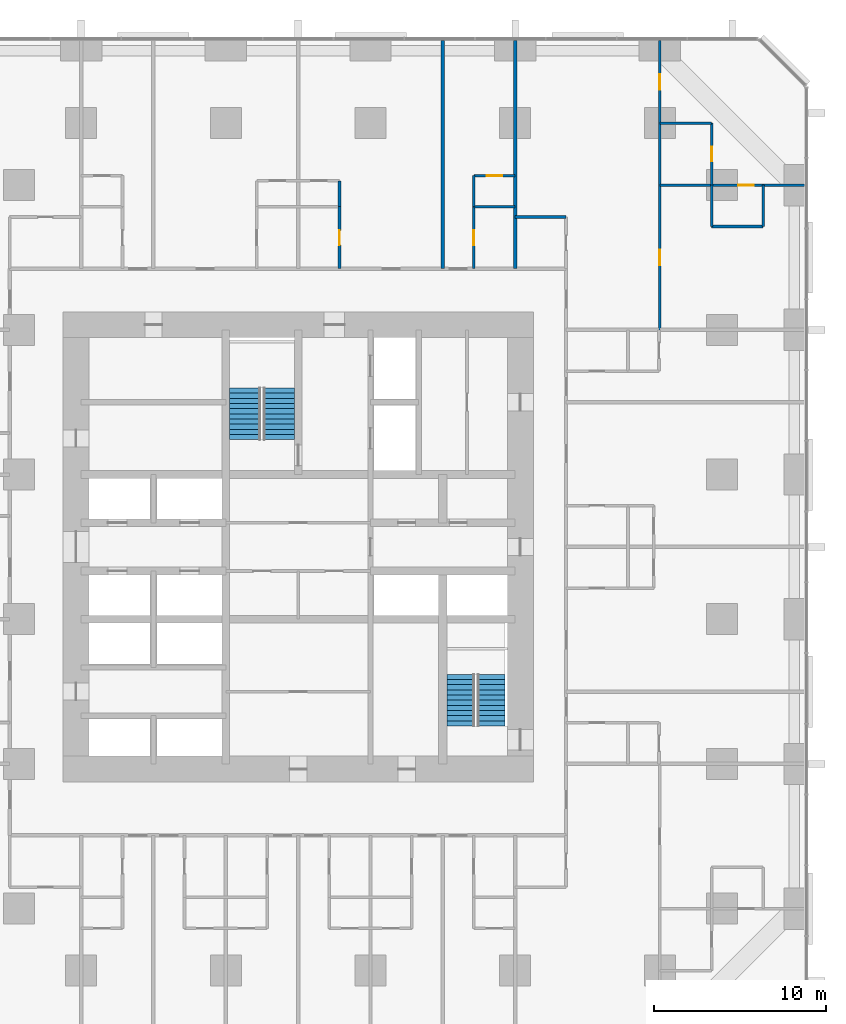
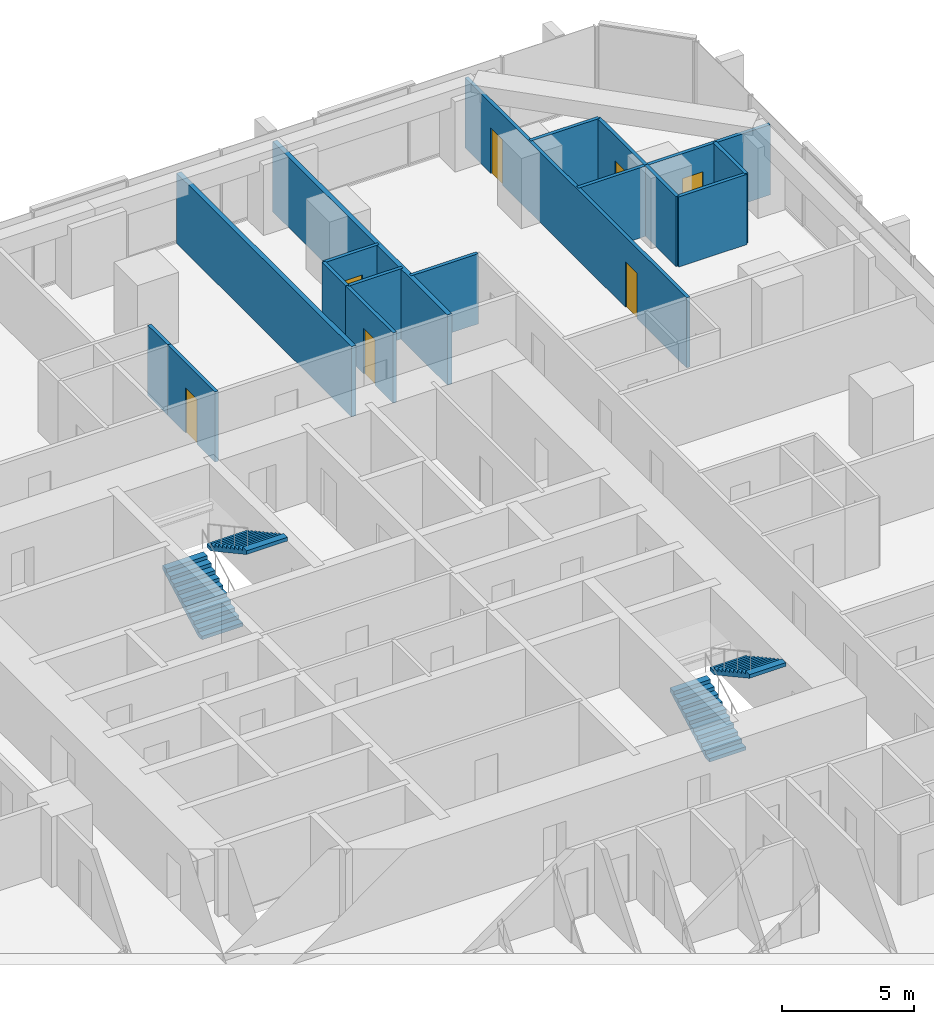
# One storey, part 16 of 17: 16 walls, 7 doors, 4 stair flights, 7 openings, 2 elements without a shape of their own.
"""IFC4 building model written with IfcOpenShell, lengths in metres."""

from ifc_helpers import new_model, si_unit, direction, frame, frame_2d, origin, place, context, subcontext, project, spatial, polyline, rectangle, outline, extrude, material, layer, layer_set, type_object, element, fill, aggregate, save


model = new_model("IFC4")

# Units and contexts
model_context = context("Model", 3, precision=1e-05, world=origin(), true_north=direction((0.0, 1.0)))
body_context = subcontext(model_context, "Body", "Model", "MODEL_VIEW")
ifc_project = project(units=[si_unit("LENGTHUNIT", "METRE"), si_unit("AREAUNIT", "SQUARE_METRE"), si_unit("VOLUMEUNIT", "CUBIC_METRE"), si_unit("PLANEANGLEUNIT", "RADIAN"), si_unit("MASSUNIT", "GRAM", prefix="KILO")], contexts=[model_context])

# Site, building, storey
site_placement = place(None, origin())
site = spatial("IfcSite", under=ifc_project, at=site_placement, CompositionType="ELEMENT")
building_placement = place(site_placement, origin())
building = spatial("IfcBuilding", under=site, at=building_placement, Name="Dunama Terrace Hotel", CompositionType="ELEMENT")
storey_placement = place(building_placement, frame((0.0, 0.0, 70.199951171875)))
storey = spatial("IfcBuildingStorey", under=building, at=storey_placement, Name="L17", CompositionType="ELEMENT", Elevation=70.199951171875)

# Wall, opening, door
ifc_material_1 = material(Name="Gypsum board partition", Category="masonry")
ifc_layer_1 = layer(ifc_material_1, 0.14990234375)
ifc_layer_set_1 = layer_set([ifc_layer_1], Name="Bathroom partition 150")
wall_type_1 = type_object("IfcWallType", Name="Bathroom partition 150", PredefinedType="PARTITIONING", material=ifc_layer_set_1)
wall_1_placement = place(storey_placement, frame((31.800048828125, 45.550048828125, 0.0), z_axis=(0.0, 0.0, 1.0), x_axis=(0.0, 1.0, 0.0)))
wall_1 = element("IfcWall", 1, at=wall_1_placement, inside=storey, type_object=wall_type_1, Name="Bathroom partition 150 L17", PredefinedType="PARTITIONING", context=body_context, shape_type="SweptSolid", body=[
    extrude(rectangle(XDim=3.599853515625, YDim=0.14990234375, at=frame_2d((1.7998046875, 0.0))), origin(), (0.0, 0.0, 1.0), 3.25),
])
opening_1_placement = place(wall_1_placement, frame((1.375, 0.0, 0.0)))
opening_1 = element("IfcOpeningElement", 2, at=opening_1_placement, cuts=wall_1, Name="Opening L17-19-046", PredefinedType="OPENING", context=body_context, shape_type="SweptSolid", body=[
    extrude(rectangle(XDim=0.85009765625, YDim=2.10009765625, at=frame_2d((0.425048828125, 1.050048828125))), frame((0.0, 0.0849609375, 0.0), z_axis=(0.0, -1.0, 0.0), x_axis=(1.0, 0.0, 0.0)), (0.0, 0.0, 1.0), 0.169921875),
])
ifc_material_2 = material(Name="Timber door with steel frame", Category="steel")
door_type_1 = type_object("IfcDoorType", Name="Bathroom door 850", OperationType="SINGLE_SWING_LEFT", PredefinedType="DOOR", material=ifc_material_2)
door_1_placement = place(opening_1_placement, origin())
door_1 = element("IfcDoor", 3, at=door_1_placement, inside=storey, type_object=door_type_1, Name="Door to en-suite bathroom L17-19-046, type D2", OperationType="SINGLE_SWING_LEFT", OverallHeight=2.10009765625, OverallWidth=0.85009765625, PredefinedType="DOOR", context=body_context, shape_type="SweptSolid", body=[
    extrude(rectangle(XDim=0.85009765625, YDim=2.10009765625, at=frame_2d((0.425048828125, 1.050048828125))), frame((0.0, 0.02490234375, 0.0), z_axis=(0.0, -1.0, 0.0), x_axis=(1.0, 0.0, 0.0)), (0.0, 0.0, 1.0), 0.050048828125),
])
fill(opening_1, door_1)

wall_2_placement = place(storey_placement, frame((39.60009765625, 45.550048828125, 0.0), z_axis=(0.0, 0.0, 1.0), x_axis=(0.0, 1.0, 0.0)))
wall_2 = element("IfcWall", 4, at=wall_2_placement, inside=storey, type_object=wall_type_1, Name="Bathroom partition 150 L17", PredefinedType="PARTITIONING", context=body_context, shape_type="SweptSolid", body=[
    extrude(rectangle(XDim=3.599853515625, YDim=0.14990234375, at=frame_2d((1.7998046875, 0.0))), origin(), (0.0, 0.0, 1.0), 3.25),
])
opening_2_placement = place(wall_2_placement, frame((1.375, 0.0, 0.0)))
opening_2 = element("IfcOpeningElement", 5, at=opening_2_placement, cuts=wall_2, Name="Opening L17-19-049", PredefinedType="OPENING", context=body_context, shape_type="SweptSolid", body=[
    extrude(rectangle(XDim=0.85009765625, YDim=2.10009765625, at=frame_2d((0.425048828125, 1.050048828125))), frame((0.0, 0.0849609375, 0.0), z_axis=(0.0, -1.0, 0.0), x_axis=(1.0, 0.0, 0.0)), (0.0, 0.0, 1.0), 0.169921875),
])
door_2_placement = place(opening_2_placement, frame((0.85009765625, 0.0, 0.0), z_axis=(0.0, 0.0, 1.0), x_axis=(-1.0, 0.0, 0.0)))
door_2 = element("IfcDoor", 6, at=door_2_placement, inside=storey, type_object=door_type_1, Name="Door to en-suite bathroom L17-19-049, type D2", OperationType="SINGLE_SWING_RIGHT", OverallHeight=2.10009765625, OverallWidth=0.85009765625, PredefinedType="DOOR", context=body_context, shape_type="SweptSolid", body=[
    extrude(rectangle(XDim=0.85009765625, YDim=2.10009765625, at=frame_2d((0.425048828125, 1.050048828125))), frame((0.0, 0.025146484375, 0.0), z_axis=(0.0, -1.0, 0.0), x_axis=(1.0, 0.0, 0.0)), (0.0, 0.0, 1.0), 0.050048828125),
])
fill(opening_2, door_2)

wall_3_placement = place(storey_placement, frame((53.39990234375, 50.39990234375, 0.0), z_axis=(0.0, 0.0, 1.0), x_axis=(0.0, 1.0, 0.0)))
wall_3 = element("IfcWall", 7, at=wall_3_placement, inside=storey, type_object=wall_type_1, Name="Bathroom partition 150 L17", PredefinedType="PARTITIONING", context=body_context, shape_type="SweptSolid", body=[
    extrude(rectangle(XDim=3.60009765625, YDim=0.14990234375, at=frame_2d((1.800048828125, 0.0))), origin(), (0.0, 0.0, 1.0), 3.25),
])
opening_3_placement = place(wall_3_placement, frame((1.375, 0.0, 0.0)))
opening_3 = element("IfcOpeningElement", 8, at=opening_3_placement, cuts=wall_3, Name="Opening L17-19-075", PredefinedType="OPENING", context=body_context, shape_type="SweptSolid", body=[
    extrude(rectangle(XDim=0.85009765625, YDim=2.10009765625, at=frame_2d((0.425048828125, 1.050048828125))), frame((0.0, 0.0849609375, 0.0), z_axis=(0.0, -1.0, 0.0), x_axis=(1.0, 0.0, 0.0)), (0.0, 0.0, 1.0), 0.169921875),
])
door_3_placement = place(opening_3_placement, origin())
door_3 = element("IfcDoor", 9, at=door_3_placement, inside=storey, type_object=door_type_1, Name="Door to en-suite bathroom L17-19-075, type D2", OperationType="SINGLE_SWING_LEFT", OverallHeight=2.10009765625, OverallWidth=0.85009765625, PredefinedType="DOOR", context=body_context, shape_type="SweptSolid", body=[
    extrude(rectangle(XDim=0.85009765625, YDim=2.10009765625, at=frame_2d((0.425048828125, 1.050048828125))), frame((0.0, 0.02490234375, 0.0), z_axis=(0.0, -1.0, 0.0), x_axis=(1.0, 0.0, 0.0)), (0.0, 0.0, 1.0), 0.050048828125),
])
fill(opening_3, door_3)

# Walls
wall_4_placement = place(storey_placement, frame((42.0, 48.550048828125, 0.0), z_axis=(0.0, 0.0, 1.0), x_axis=(1.0, 0.0, 0.0)))
element("IfcWall", 10, at=wall_4_placement, inside=storey, type_object=wall_type_1, Name="Bathroom partition 150 L17", PredefinedType="PARTITIONING", context=body_context, shape_type="SweptSolid", body=[
    extrude(rectangle(XDim=2.949951171875, YDim=0.14990234375, at=frame_2d((1.47509765625, 0.0))), origin(), (0.0, 0.0, 1.0), 3.25),
])
wall_5_placement = place(storey_placement, frame((50.39990234375, 54.0, 0.0), z_axis=(0.0, 0.0, 1.0), x_axis=(1.0, 0.0, 0.0)))
element("IfcWall", 11, at=wall_5_placement, inside=storey, type_object=wall_type_1, Name="Bathroom partition 150 L17", PredefinedType="PARTITIONING", context=body_context, shape_type="SweptSolid", body=[
    extrude(rectangle(XDim=3.0, YDim=0.14990234375, at=frame_2d((1.5, 0.0))), origin(), (0.0, 0.0, 1.0), 3.25),
])
ifc_material_3 = material(Name="Concrete blockwork", Category="masonry")
ifc_layer_2 = layer(ifc_material_3, 0.199951171875)
ifc_layer_set_2 = layer_set([ifc_layer_2], Name="Party wall 200")
wall_type_2 = type_object("IfcWallType", Name="Party wall 200", PredefinedType="PARTITIONING", material=ifc_layer_set_2)
for number, where, z_axis, x_axis, name in (
    (12, (37.800048828125, 45.550048828125, 0.0), (0.0, 0.0, 1.0), (0.0, 1.0, 0.0), "Party wall 200 L17"),
    (13, (42.0, 45.550048828125, 0.0), (0.0, 0.0, 1.0), (0.0, 1.0, 0.0), "Party wall 200 L17"),
):
    element("IfcWall", number, at=place(storey_placement, frame(where, z_axis=z_axis, x_axis=x_axis)), inside=storey, type_object=wall_type_2, Name=name, PredefinedType="PARTITIONING", context=body_context, shape_type="SweptSolid", body=[
        extrude(rectangle(XDim=13.258056640625, YDim=0.199951171875, at=frame_2d((6.62890625, 0.0))), origin(), (0.0, 0.0, 1.0), 3.25),
    ])
ifc_material_4 = material(Name="Gypsum board partition", Category="masonry")
ifc_layer_3 = layer(ifc_material_4, 0.14990234375)
ifc_layer_set_3 = layer_set([ifc_layer_3], Name="Room partition 150")
wall_type_3 = type_object("IfcWallType", Name="Room partition 150", PredefinedType="PARTITIONING", material=ifc_layer_set_3)
wall_6_placement = place(storey_placement, frame((31.800048828125, 49.14990234375, 0.0), z_axis=(0.0, 0.0, 1.0), x_axis=(0.0, 1.0, 0.0)))
element("IfcWall", 14, at=wall_6_placement, inside=storey, type_object=wall_type_3, Name="Room partition 150 L17", PredefinedType="PARTITIONING", context=body_context, shape_type="SweptSolid", body=[
    extrude(rectangle(XDim=1.5, YDim=0.14990234375, at=frame_2d((0.75, 0.0))), origin(), (0.0, 0.0, 1.0), 3.25),
])
wall_7_placement = place(storey_placement, frame((39.60009765625, 49.14990234375, 0.0), z_axis=(0.0, 0.0, 1.0), x_axis=(0.0, 1.0, 0.0)))
element("IfcWall", 15, at=wall_7_placement, inside=storey, type_object=wall_type_3, Name="Room partition 150 L17", PredefinedType="PARTITIONING", context=body_context, shape_type="SweptSolid", body=[
    extrude(rectangle(XDim=1.800048828125, YDim=0.14990234375, at=frame_2d((0.89990234375, 0.0))), origin(), (0.0, 0.0, 1.0), 3.25),
])

# Wall, openings, doors
wall_8_placement = place(storey_placement, frame((50.39990234375, 42.0, 0.0), z_axis=(0.0, 0.0, 1.0), x_axis=(0.0, 1.0, 0.0)))
wall_8 = element("IfcWall", 16, at=wall_8_placement, inside=storey, type_object=wall_type_3, Name="Room partition 150 L17", PredefinedType="PARTITIONING", context=body_context, shape_type="SweptSolid", body=[
    extrude(rectangle(XDim=16.80810546875, YDim=0.14990234375, at=frame_2d((8.404052734375, 0.0))), origin(), (0.0, 0.0, 1.0), 3.25),
])
opening_4_placement = place(wall_8_placement, frame((13.949951171875, 0.0, 0.0)))
opening_4 = element("IfcOpeningElement", 17, at=opening_4_placement, cuts=wall_8, Name="Opening L17-19-074", PredefinedType="OPENING", context=body_context, shape_type="SweptSolid", body=[
    extrude(rectangle(XDim=0.89990234375, YDim=2.10009765625, at=frame_2d((0.449951171875, 1.050048828125))), frame((0.0, 0.0849609375, 0.0), z_axis=(0.0, -1.0, 0.0), x_axis=(1.0, 0.0, 0.0)), (0.0, 0.0, 1.0), 0.169921875),
])
opening_5_placement = place(wall_8_placement, frame((3.75, 0.0, 0.0)))
opening_5 = element("IfcOpeningElement", 18, at=opening_5_placement, cuts=wall_8, Name="Opening L17-19-077", PredefinedType="OPENING", context=body_context, shape_type="SweptSolid", body=[
    extrude(rectangle(XDim=0.89990234375, YDim=2.10009765625, at=frame_2d((0.449951171875, 1.050048828125))), frame((0.0, 0.0849609375, 0.0), z_axis=(0.0, -1.0, 0.0), x_axis=(1.0, 0.0, 0.0)), (0.0, 0.0, 1.0), 0.169921875),
])
ifc_material_5 = material(Name="Timber door with steel frame", Category="steel")
door_type_2 = type_object("IfcDoorType", Name="Suite internal door 900", OperationType="SINGLE_SWING_LEFT", PredefinedType="DOOR", material=ifc_material_5)
door_4_placement = place(opening_4_placement, frame((0.89990234375, 0.0, 0.0), z_axis=(0.0, 0.0, 1.0), x_axis=(-1.0, 0.0, 0.0)))
door_4 = element("IfcDoor", 19, at=door_4_placement, inside=storey, type_object=door_type_2, Name="Door to corner suite bedroom L17-19-074, type D16", OperationType="SINGLE_SWING_LEFT", OverallHeight=2.10009765625, OverallWidth=0.89990234375, PredefinedType="DOOR", context=body_context, shape_type="SweptSolid", body=[
    extrude(rectangle(XDim=0.89990234375, YDim=2.10009765625, at=frame_2d((0.449951171875, 1.050048828125))), frame((0.0, 0.025146484375, 0.0), z_axis=(0.0, -1.0, 0.0), x_axis=(1.0, 0.0, 0.0)), (0.0, 0.0, 1.0), 0.050048828125),
])
fill(opening_4, door_4)
door_5_placement = place(opening_5_placement, frame((0.89990234375, 0.0, 0.0), z_axis=(0.0, 0.0, 1.0), x_axis=(-1.0, 0.0, 0.0)))
door_5 = element("IfcDoor", 20, at=door_5_placement, inside=storey, type_object=door_type_2, Name="Door to corner suite study L17-19-077, type D16", OperationType="SINGLE_SWING_LEFT", OverallHeight=2.10009765625, OverallWidth=0.89990234375, PredefinedType="DOOR", context=body_context, shape_type="SweptSolid", body=[
    extrude(rectangle(XDim=0.89990234375, YDim=2.10009765625, at=frame_2d((0.449951171875, 1.050048828125))), frame((0.0, 0.025146484375, 0.0), z_axis=(0.0, -1.0, 0.0), x_axis=(1.0, 0.0, 0.0)), (0.0, 0.0, 1.0), 0.050048828125),
])
fill(opening_5, door_5)

# Walls
for number, where, z_axis, x_axis, name in (
    (21, (53.39990234375, 48.0, 0.0), (0.0, 0.0, 1.0), (0.0, 1.0, 0.0), "Room partition 150 L17"),
    (22, (56.39990234375, 48.0, 0.0), (0.0, 0.0, 1.0), (0.0, 1.0, 0.0), "Room partition 150 L17"),
):
    element("IfcWall", number, at=place(storey_placement, frame(where, z_axis=z_axis, x_axis=x_axis)), inside=storey, type_object=wall_type_3, Name=name, PredefinedType="PARTITIONING", context=body_context, shape_type="SweptSolid", body=[
        extrude(rectangle(XDim=2.39990234375, YDim=0.14990234375, at=frame_2d((1.199951171875, 0.0))), origin(), (0.0, 0.0, 1.0), 3.25),
    ])
wall_9_placement = place(storey_placement, frame((53.39990234375, 48.0, 0.0), z_axis=(0.0, 0.0, 1.0), x_axis=(1.0, 0.0, 0.0)))
element("IfcWall", 23, at=wall_9_placement, inside=storey, type_object=wall_type_3, Name="Room partition 150 L17", PredefinedType="PARTITIONING", context=body_context, shape_type="SweptSolid", body=[
    extrude(rectangle(XDim=3.0, YDim=0.14990234375, at=frame_2d((1.5, 0.0))), origin(), (0.0, 0.0, 1.0), 3.25),
])
wall_10_placement = place(storey_placement, frame((39.60009765625, 49.14990234375, 0.0), z_axis=(0.0, 0.0, 1.0), x_axis=(1.0, 0.0, 0.0)))
element("IfcWall", 24, at=wall_10_placement, inside=storey, type_object=wall_type_3, Name="Room partition 150 L17", PredefinedType="PARTITIONING", context=body_context, shape_type="SweptSolid", body=[
    extrude(rectangle(XDim=2.39990234375, YDim=0.14990234375, at=frame_2d((1.199951171875, 0.0))), origin(), (0.0, 0.0, 1.0), 3.25),
])

# Wall, opening, door
wall_11_placement = place(storey_placement, frame((50.39990234375, 50.39990234375, 0.0), z_axis=(0.0, 0.0, 1.0), x_axis=(1.0, 0.0, 0.0)))
wall_11 = element("IfcWall", 25, at=wall_11_placement, inside=storey, type_object=wall_type_3, Name="Room partition 150 L17", PredefinedType="PARTITIONING", context=body_context, shape_type="SweptSolid", body=[
    extrude(rectangle(XDim=8.408203125, YDim=0.14990234375, at=frame_2d((4.2041015625, 0.0))), origin(), (0.0, 0.0, 1.0), 3.25),
])
opening_6_placement = place(wall_11_placement, frame((4.550048828125, 0.0, 0.0)))
opening_6 = element("IfcOpeningElement", 26, at=opening_6_placement, cuts=wall_11, Name="Opening L17-19-076", PredefinedType="OPENING", context=body_context, shape_type="SweptSolid", body=[
    extrude(rectangle(XDim=0.89990234375, YDim=2.10009765625, at=frame_2d((0.449951171875, 1.050048828125))), frame((0.0, 0.0849609375, 0.0), z_axis=(0.0, -1.0, 0.0), x_axis=(1.0, 0.0, 0.0)), (0.0, 0.0, 1.0), 0.169921875),
])
door_6_placement = place(opening_6_placement, frame((0.89990234375, 0.0, 0.0), z_axis=(0.0, 0.0, 1.0), x_axis=(-1.0, 0.0, 0.0)))
door_6 = element("IfcDoor", 27, at=door_6_placement, inside=storey, type_object=door_type_2, Name="Door to dressing room L17-19-076, type D16", OperationType="SINGLE_SWING_RIGHT", OverallHeight=2.10009765625, OverallWidth=0.89990234375, PredefinedType="DOOR", context=body_context, shape_type="SweptSolid", body=[
    extrude(rectangle(XDim=0.89990234375, YDim=2.10009765625, at=frame_2d((0.449951171875, 1.050048828125))), frame((0.0, 0.025146484375, 0.0), z_axis=(0.0, -1.0, 0.0), x_axis=(1.0, 0.0, 0.0)), (0.0, 0.0, 1.0), 0.050048828125),
])
fill(opening_6, door_6)

wall_12_placement = place(storey_placement, frame((39.60009765625, 50.949951171875, 0.0), z_axis=(0.0, 0.0, 1.0), x_axis=(1.0, 0.0, 0.0)))
wall_12 = element("IfcWall", 28, at=wall_12_placement, inside=storey, type_object=wall_type_3, Name="Room partition 150 L17", PredefinedType="PARTITIONING", context=body_context, shape_type="SweptSolid", body=[
    extrude(rectangle(XDim=2.39990234375, YDim=0.14990234375, at=frame_2d((1.199951171875, 0.0))), origin(), (0.0, 0.0, 1.0), 3.25),
])
opening_7_placement = place(wall_12_placement, frame((0.75, 0.0, 0.0)))
opening_7 = element("IfcOpeningElement", 29, at=opening_7_placement, cuts=wall_12, Name="Opening L17-19-050", PredefinedType="OPENING", context=body_context, shape_type="SweptSolid", body=[
    extrude(rectangle(XDim=0.89990234375, YDim=2.10009765625, at=frame_2d((0.449951171875, 1.050048828125))), frame((0.0, 0.0849609375, 0.0), z_axis=(0.0, -1.0, 0.0), x_axis=(1.0, 0.0, 0.0)), (0.0, 0.0, 1.0), 0.169921875),
])
door_7_placement = place(opening_7_placement, frame((0.89990234375, 0.0, 0.0), z_axis=(0.0, 0.0, 1.0), x_axis=(-1.0, 0.0, 0.0)))
door_7 = element("IfcDoor", 30, at=door_7_placement, inside=storey, type_object=door_type_2, Name="Door to walk-in wardrobe L17-19-050, type D16", OperationType="SINGLE_SWING_LEFT", OverallHeight=2.10009765625, OverallWidth=0.89990234375, PredefinedType="DOOR", context=body_context, shape_type="SweptSolid", body=[
    extrude(rectangle(XDim=0.89990234375, YDim=2.10009765625, at=frame_2d((0.449951171875, 1.050048828125))), frame((0.0, 0.025146484375, 0.0), z_axis=(0.0, -1.0, 0.0), x_axis=(1.0, 0.0, 0.0)), (0.0, 0.0, 1.0), 0.050048828125),
])
fill(opening_7, door_7)

# Stair, stair flights
ifc_material_6 = material(Name="Concrete C40/50", Category="concrete")
stair_type_1 = type_object("IfcStairType", Name="Stair ST1-3600-1800", PredefinedType="HALF_TURN_STAIR", material=ifc_material_6)
stair_1_placement = place(storey_placement, origin())
stair_1 = element("IfcStair", 31, at=stair_1_placement, inside=storey, type_object=stair_type_1, Name="Stair ST1 L17", PredefinedType="HALF_TURN_STAIR")
ifc_material_7 = material(Name="Concrete C40/50", Category="concrete")
stair_flight_type_1 = type_object("IfcStairFlightType", Name="Stair flight ST1-3600-1800", PredefinedType="STRAIGHT", material=ifc_material_7)
stair_flight_1_placement = place(storey_placement, frame((26.324951171875, 35.625, 0.0), z_axis=(0.0, 0.0, 1.0), x_axis=(0.0, 1.0, 0.0)))
stair_flight_1 = element("IfcStairFlight", 32, at=stair_flight_1_placement, type_object=stair_flight_type_1, Name="ST1 flight 1", NumberOfRisers=11, NumberOfTreads=10, PredefinedType="STRAIGHT", RiserHeight=0.163636364, TreadLength=0.3, context=body_context, shape_type="SweptSolid", body=[
    extrude(outline(polyline([(0.0, 0.0), (0.0, 0.16357421875), (0.300048828125, 0.16357421875), (0.300048828125, 0.327392578125), (0.60009765625, 0.327392578125), (0.60009765625, 0.490966796875), (0.89990234375, 0.490966796875), (0.89990234375, 0.654541015625), (1.199951171875, 0.654541015625), (1.199951171875, 0.818115234375), (1.5, 0.818115234375), (1.5, 0.98193359375), (1.800048828125, 0.98193359375), (1.800048828125, 1.1455078125), (2.10009765625, 1.1455078125), (2.10009765625, 1.30908203125), (2.39990234375, 1.30908203125), (2.39990234375, 1.47265625), (2.699951171875, 1.47265625), (2.699951171875, 1.636474609375), (3.0, 1.636474609375), (3.0, 1.800048828125), (3.0, 1.465576171875), (0.31298828125, 0.0), (0.0, 0.0)])), frame((0.0, 0.89990234375, 0.0), z_axis=(0.0, -1.0, 0.0), x_axis=(1.0, 0.0, 0.0)), (0.0, 0.0, 1.0), 1.800048828125),
])
stair_flight_2_placement = place(storey_placement, frame((28.27490234375, 38.625, 1.800048828125), z_axis=(0.0, 0.0, 1.0), x_axis=(0.0, -1.0, 0.0)))
stair_flight_2 = element("IfcStairFlight", 33, at=stair_flight_2_placement, type_object=stair_flight_type_1, Name="ST1 flight 2", NumberOfRisers=11, NumberOfTreads=10, PredefinedType="STRAIGHT", RiserHeight=0.163636364, TreadLength=0.3, context=body_context, shape_type="SweptSolid", body=[
    extrude(outline(polyline([(0.0, 0.0), (0.0, 0.16357421875), (0.300048828125, 0.16357421875), (0.300048828125, 0.327392578125), (0.60009765625, 0.327392578125), (0.60009765625, 0.490966796875), (0.89990234375, 0.490966796875), (0.89990234375, 0.654541015625), (1.199951171875, 0.654541015625), (1.199951171875, 0.818115234375), (1.5, 0.818115234375), (1.5, 0.98193359375), (1.800048828125, 0.98193359375), (1.800048828125, 1.1455078125), (2.10009765625, 1.1455078125), (2.10009765625, 1.30908203125), (2.39990234375, 1.30908203125), (2.39990234375, 1.47265625), (2.699951171875, 1.47265625), (2.699951171875, 1.636474609375), (3.0, 1.636474609375), (3.0, 1.800048828125), (3.0, 1.465576171875), (0.31298828125, 0.0), (0.0, 0.0)])), frame((0.0, 0.89990234375, 0.0), z_axis=(0.0, -1.0, 0.0), x_axis=(1.0, 0.0, 0.0)), (0.0, 0.0, 1.0), 1.800048828125),
])
aggregate(stair_1, [stair_flight_1, stair_flight_2])

ifc_material_8 = material(Name="Concrete C40/50", Category="concrete")
stair_type_2 = type_object("IfcStairType", Name="Stair ST2-3600-1600", PredefinedType="HALF_TURN_STAIR", material=ifc_material_8)
stair_2_placement = place(storey_placement, origin())
stair_2 = element("IfcStair", 34, at=stair_2_placement, inside=storey, type_object=stair_type_2, Name="Stair ST2 L17", PredefinedType="HALF_TURN_STAIR")
ifc_material_9 = material(Name="Concrete C40/50", Category="concrete")
stair_flight_type_2 = type_object("IfcStairFlightType", Name="Stair flight ST2-3600-1600", PredefinedType="STRAIGHT", material=ifc_material_9)
stair_flight_3_placement = place(storey_placement, frame((38.85009765625, 19.0, 0.0), z_axis=(0.0, 0.0, 1.0), x_axis=(0.0, 1.0, 0.0)))
stair_flight_3 = element("IfcStairFlight", 35, at=stair_flight_3_placement, type_object=stair_flight_type_2, Name="ST2 flight 1", NumberOfRisers=11, NumberOfTreads=10, PredefinedType="STRAIGHT", RiserHeight=0.163636364, TreadLength=0.3, context=body_context, shape_type="SweptSolid", body=[
    extrude(outline(polyline([(0.0, 0.0), (0.0, 0.16357421875), (0.300048828125, 0.16357421875), (0.300048828125, 0.327392578125), (0.60009765625, 0.327392578125), (0.60009765625, 0.490966796875), (0.89990234375, 0.490966796875), (0.89990234375, 0.654541015625), (1.199951171875, 0.654541015625), (1.199951171875, 0.818115234375), (1.5, 0.818115234375), (1.5, 0.98193359375), (1.800048828125, 0.98193359375), (1.800048828125, 1.1455078125), (2.10009765625, 1.1455078125), (2.10009765625, 1.30908203125), (2.39990234375, 1.30908203125), (2.39990234375, 1.47265625), (2.699951171875, 1.47265625), (2.699951171875, 1.636474609375), (3.0, 1.636474609375), (3.0, 1.800048828125), (3.0, 1.465576171875), (0.31298828125, 0.0), (0.0, 0.0)])), frame((0.0, 0.800048828125, 0.0), z_axis=(0.0, -1.0, 0.0), x_axis=(1.0, 0.0, 0.0)), (0.0, 0.0, 1.0), 1.60009765625),
])
stair_flight_4_placement = place(storey_placement, frame((40.60009765625, 22.0, 1.800048828125), z_axis=(0.0, 0.0, 1.0), x_axis=(0.0, -1.0, 0.0)))
stair_flight_4 = element("IfcStairFlight", 36, at=stair_flight_4_placement, type_object=stair_flight_type_2, Name="ST2 flight 2", NumberOfRisers=11, NumberOfTreads=10, PredefinedType="STRAIGHT", RiserHeight=0.163636364, TreadLength=0.3, context=body_context, shape_type="SweptSolid", body=[
    extrude(outline(polyline([(0.0, 0.0), (0.0, 0.16357421875), (0.300048828125, 0.16357421875), (0.300048828125, 0.327392578125), (0.60009765625, 0.327392578125), (0.60009765625, 0.490966796875), (0.89990234375, 0.490966796875), (0.89990234375, 0.654541015625), (1.199951171875, 0.654541015625), (1.199951171875, 0.818115234375), (1.5, 0.818115234375), (1.5, 0.98193359375), (1.800048828125, 0.98193359375), (1.800048828125, 1.1455078125), (2.10009765625, 1.1455078125), (2.10009765625, 1.30908203125), (2.39990234375, 1.30908203125), (2.39990234375, 1.47265625), (2.699951171875, 1.47265625), (2.699951171875, 1.636474609375), (3.0, 1.636474609375), (3.0, 1.800048828125), (3.0, 1.465576171875), (0.31298828125, 0.0), (0.0, 0.0)])), frame((0.0, 0.800048828125, 0.0), z_axis=(0.0, -1.0, 0.0), x_axis=(1.0, 0.0, 0.0)), (0.0, 0.0, 1.0), 1.60009765625),
])
aggregate(stair_2, [stair_flight_3, stair_flight_4])

save(model, "model.ifc")
